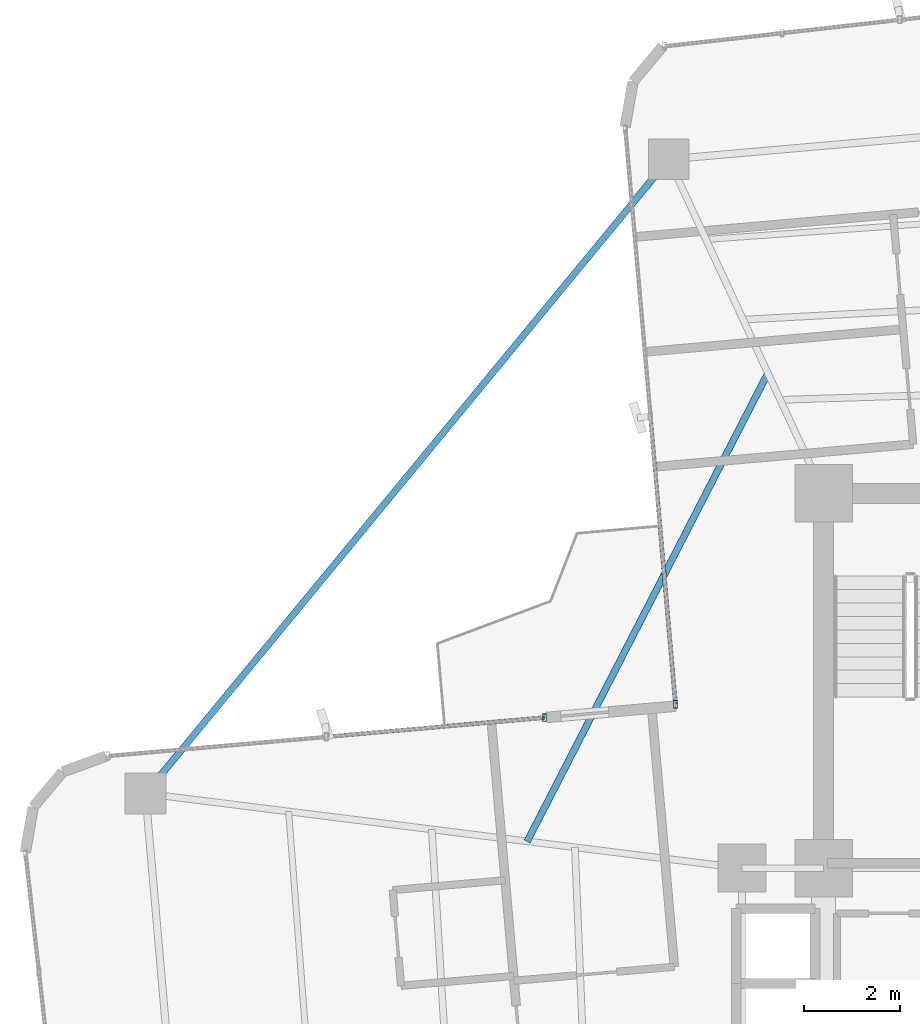
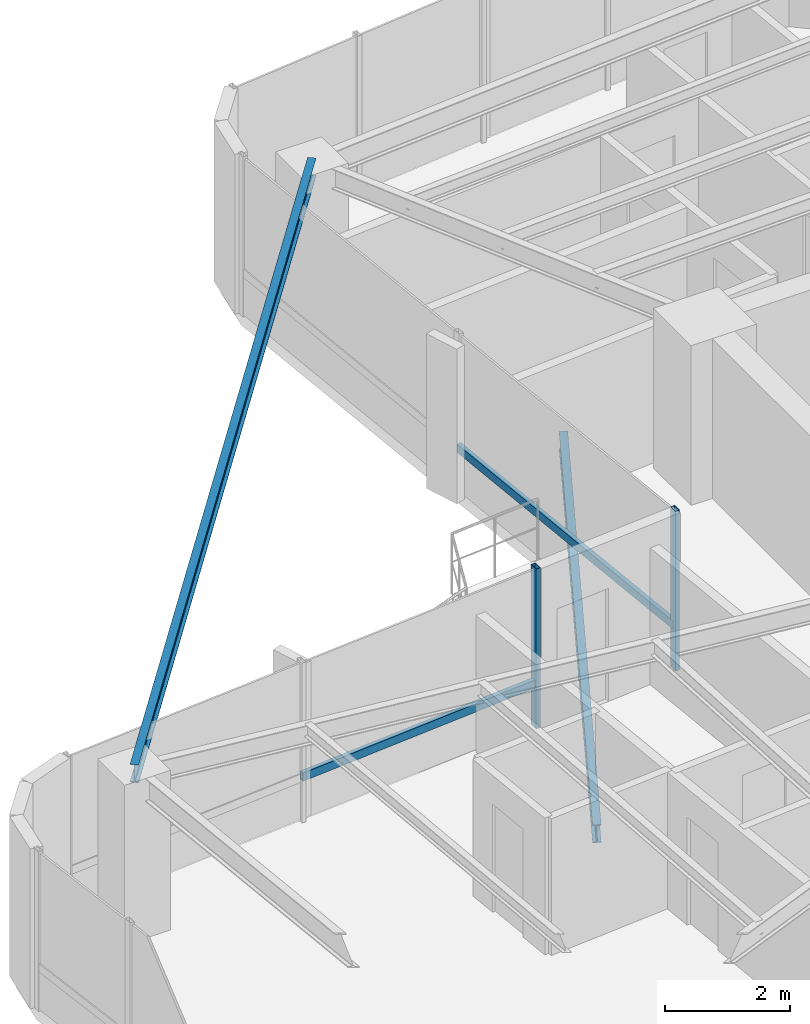
# One storey, part 10 of 24: 4 members, 2 beams, 2 elements without a shape of their own.
"""IFC4 building model written with IfcOpenShell, lengths in metres."""

from ifc_helpers import new_model, si_unit, direction, frame, origin, origin_2d, place, context, subcontext, project, spatial, hollow_rectangle, i_section, extrude, source, transform, mapped, material, material_profile, profile_set, type_object, element, aggregate, save


model = new_model("IFC4")

# Units and contexts
model_context = context("Model", 3, precision=1e-05, world=origin(), true_north=direction((0.0, 1.0)))
body_context = subcontext(model_context, "Body", "Model", "MODEL_VIEW")
ifc_project = project(units=[si_unit("LENGTHUNIT", "METRE"), si_unit("AREAUNIT", "SQUARE_METRE"), si_unit("VOLUMEUNIT", "CUBIC_METRE"), si_unit("PLANEANGLEUNIT", "RADIAN"), si_unit("MASSUNIT", "GRAM", prefix="KILO")], contexts=[model_context])

# Site, building, storey
site_placement = place(None, origin())
site = spatial("IfcSite", under=ifc_project, at=site_placement, CompositionType="ELEMENT")
building_placement = place(site_placement, origin())
building = spatial("IfcBuilding", under=site, at=building_placement, Name="Sahyath Konkavel Grand Hotel", CompositionType="ELEMENT")
storey_placement = place(building_placement, frame((0.0, 0.0, 181.89990234375)))
storey = spatial("IfcBuildingStorey", under=building, at=storey_placement, Name="L50", CompositionType="ELEMENT", Elevation=181.89990234375)

# Beam
ifc_material_1 = material(Name="Steel E350", Category="steel")
ifc_material_profile_1 = material_profile(ifc_material_1, i_section(OverallWidth=0.139892578125, OverallDepth=0.35009765625, WebThickness=0.008056640625, FlangeThickness=0.01416015625, FilletRadius=0.013916015625, at=origin_2d()), Name="ISMB 350")
ifc_profile_set_1 = profile_set([ifc_material_profile_1], Name="Steel E350")
beam_type_1 = type_object("IfcBeamType", Name="BM-ISMB350", PredefinedType="BEAM", material=ifc_profile_set_1)
shared_shape_1 = source(origin(), body_context, "Body", "SweptSolid", [
    extrude(i_section(OverallWidth=0.139892578125, OverallDepth=0.35009765625, WebThickness=0.008056640625, FlangeThickness=0.01416015625, FilletRadius=0.013916015625, at=origin_2d()), origin(), (0.0, 0.0, 1.0), 17.112548828125),
])
beam_1_placement = place(storey_placement, frame((-7.021728515625, 17.1533203125, 2.93505859375), z_axis=(-0.636437070092, -0.77132863023, 0.0), x_axis=(0.77132863023, -0.636437070092, 0.0)))
element("IfcBeam", 1, at=beam_1_placement, inside=storey, type_object=beam_type_1, Name="L50 Re-Entrant Tie Beam NW", PredefinedType="BEAM", context=body_context, shape_type="MappedRepresentation", body=[
    mapped(shared_shape_1, transform((0.0, 0.0, 0.0), scale=1.0)),
])

# Curtain wall, member
ifc_material_2 = material(Name="Anodised Bronze Aluminium & Low-E Glazing", Category="aluminium")
curtain_wall_type = type_object("IfcCurtainWallType", Name="CW-ZONE3", PredefinedType="NOTDEFINED", material=ifc_material_2)
curtain_wall_1_placement = place(storey_placement, origin())
curtain_wall_1 = element("IfcCurtainWall", 2, at=curtain_wall_1_placement, inside=storey, type_object=curtain_wall_type, Name="L50 Unitised Curtain Wall F15", PredefinedType="NOTDEFINED")
ifc_material_3 = material(Name="Anodised Bronze Aluminium", Category="aluminium")
ifc_material_profile_2 = material_profile(ifc_material_3, hollow_rectangle(XDim=0.080078125, YDim=0.159912109375, WallThickness=0.006103515625, at=origin_2d()), Name="RHS 160x80x6")
ifc_profile_set_2 = profile_set([ifc_material_profile_2], Name="Anodised Bronze Aluminium")
member_type_1 = type_object("IfcMemberType", Name="CW-MUL-160", PredefinedType="MULLION", material=ifc_profile_set_2)
shared_shape_2 = source(origin(), body_context, "Body", "SweptSolid", [
    extrude(hollow_rectangle(XDim=0.080078125, YDim=0.159912109375, WallThickness=0.006103515625, at=origin_2d()), origin(), (0.0, 0.0, 1.0), 3.110107421875),
])
member_1_placement = place(storey_placement, frame((-6.8828125, 5.812255859375, 0.0), z_axis=(0.0, 0.0, 1.0), x_axis=(1.0, 0.0, 0.0)))
member_1 = element("IfcMember", 3, at=member_1_placement, type_object=member_type_1, Name="L50 Curtain Wall Mullion F15-2", PredefinedType="MULLION", context=body_context, shape_type="MappedRepresentation", body=[
    mapped(shared_shape_2, transform((0.0, 0.0, 0.0), scale=1.0)),
])

# Curtain wall, members
curtain_wall_2_placement = place(storey_placement, origin())
curtain_wall_2 = element("IfcCurtainWall", 4, at=curtain_wall_2_placement, inside=storey, type_object=curtain_wall_type, Name="L50 Unitised Curtain Wall F16", PredefinedType="NOTDEFINED")
member_2_placement = place(storey_placement, frame((-9.60888671875, 5.53369140625, 0.0), z_axis=(0.0, 0.0, 1.0), x_axis=(1.0, 0.0, 0.0)))
member_2 = element("IfcMember", 5, at=member_2_placement, type_object=member_type_1, Name="L50 Curtain Wall Mullion F16-0", PredefinedType="MULLION", context=body_context, shape_type="MappedRepresentation", body=[
    mapped(shared_shape_2, transform((0.0, 0.0, 0.0), scale=1.0)),
])
ifc_material_profile_3 = material_profile(ifc_material_3, hollow_rectangle(XDim=0.080078125, YDim=0.159912109375, WallThickness=0.006103515625, at=origin_2d()), Name="RHS 160x80x6")
ifc_profile_set_3 = profile_set([ifc_material_profile_3], Name="Anodised Bronze Aluminium")
member_type_2 = type_object("IfcMemberType", Name="CW-TRN-160", PredefinedType="USERDEFINED", material=ifc_profile_set_3)
shared_shape_3 = source(origin(), body_context, "Body", "SweptSolid", [
    extrude(hollow_rectangle(XDim=0.080078125, YDim=0.159912109375, WallThickness=0.006103515625, at=origin_2d()), origin(), (0.0, 0.0, 1.0), 4.56005859375),
])
member_3_placement = place(storey_placement, frame((-9.60888671875, 5.53369140625, 0.85009765625), z_axis=(-0.996189590376, -0.087214104516, 0.0), x_axis=(0.087214104516, -0.996189590376, 0.0)))
member_3 = element("IfcMember", 6, at=member_3_placement, type_object=member_type_2, Name="L50 Curtain Wall Transom F16-0-spandrel", ObjectType="TRANSOM", PredefinedType="USERDEFINED", context=body_context, shape_type="MappedRepresentation", body=[
    mapped(shared_shape_3, transform((0.0, 0.0, 0.0), scale=1.0)),
])
aggregate(curtain_wall_2, [member_2, member_3])

# Member
shared_shape_4 = source(origin(), body_context, "Body", "SweptSolid", [
    extrude(hollow_rectangle(XDim=0.080078125, YDim=0.159912109375, WallThickness=0.006103515625, at=origin_2d()), origin(), (0.0, 0.0, 1.0), 6.010009765625),
])
member_4_placement = place(storey_placement, frame((-7.406494140625, 11.79931640625, 0.85009765625), z_axis=(0.087136210597, -0.996196406741, 0.0), x_axis=(0.996196406741, 0.087136210597, 0.0)))
member_4 = element("IfcMember", 7, at=member_4_placement, type_object=member_type_2, Name="L50 Curtain Wall Transom F15-1-spandrel", ObjectType="TRANSOM", PredefinedType="USERDEFINED", context=body_context, shape_type="MappedRepresentation", body=[
    mapped(shared_shape_4, transform((0.0, 0.0, 0.0), scale=1.0)),
])

aggregate(curtain_wall_1, [member_1, member_4])

# Beam
ifc_material_profile_4 = material_profile(ifc_material_1, i_section(OverallWidth=0.139892578125, OverallDepth=0.35009765625, WebThickness=0.008056640625, FlangeThickness=0.01416015625, FilletRadius=0.013916015625, at=origin_2d()), Name="ISMB 350")
ifc_profile_set_4 = profile_set([ifc_material_profile_4], Name="Steel E350")
beam_type_2 = type_object("IfcBeamType", Name="BM-BALC-CANT", PredefinedType="BEAM", material=ifc_profile_set_4)
shared_shape_5 = source(origin(), body_context, "Body", "SweptSolid", [
    extrude(i_section(OverallWidth=0.139892578125, OverallDepth=0.35009765625, WebThickness=0.008056640625, FlangeThickness=0.01416015625, FilletRadius=0.013916015625, at=origin_2d()), origin(), (0.0, 0.0, 1.0), 10.95556640625),
])
beam_2_placement = place(storey_placement, frame((-4.959716796875, 12.703125, -0.414794921875), z_axis=(-0.457186878355, -0.889370652912, 0.0), x_axis=(0.889370652912, -0.457186878355, 0.0)))
element("IfcBeam", 8, at=beam_2_placement, inside=storey, type_object=beam_type_2, Name="L50 Balcony Cantilever Support Beam NW", PredefinedType="BEAM", context=body_context, shape_type="MappedRepresentation", body=[
    mapped(shared_shape_5, transform((0.0, 0.0, 0.0), scale=1.0)),
])

save(model, "model.ifc")
